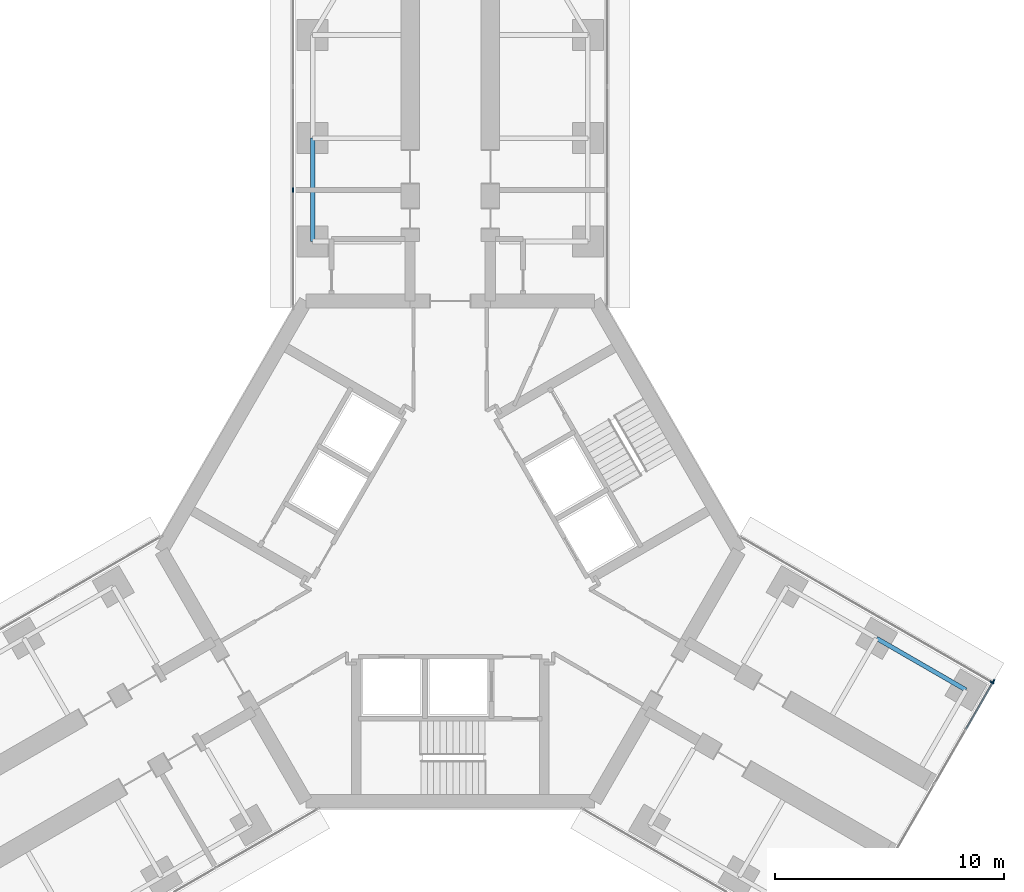
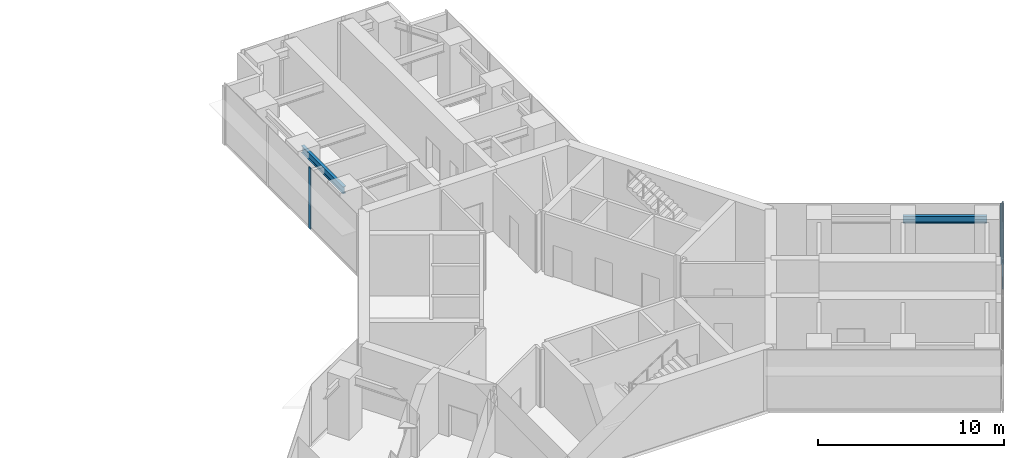
# One storey, part 11 of 21: 4 members, 2 beams, 3 elements without a shape of their own.
"""IFC4 building model written with IfcOpenShell, lengths in metres."""

from ifc_helpers import new_model, si_unit, direction, frame, origin, origin_2d, place, context, subcontext, project, spatial, rectangle, i_section, extrude, material, material_profile, profile_set, type_object, element, aggregate, save


model = new_model("IFC4")

# Units and contexts
model_context = context("Model", 3, precision=1e-05, world=origin(), true_north=direction((0.0, 1.0)))
body_context = subcontext(model_context, "Body", "Model", "MODEL_VIEW")
ifc_project = project(units=[si_unit("LENGTHUNIT", "METRE"), si_unit("AREAUNIT", "SQUARE_METRE"), si_unit("VOLUMEUNIT", "CUBIC_METRE"), si_unit("PLANEANGLEUNIT", "RADIAN"), si_unit("MASSUNIT", "GRAM", prefix="KILO")], contexts=[model_context])

# Site, building, storey
site_placement = place(None, origin())
site = spatial("IfcSite", under=ifc_project, at=site_placement, CompositionType="ELEMENT")
building_placement = place(site_placement, origin())
building = spatial("IfcBuilding", under=site, at=building_placement, Name="Upepo Twin Towers", CompositionType="ELEMENT")
storey_placement = place(building_placement, frame((0.0, 0.0, 109.5)))
storey = spatial("IfcBuildingStorey", under=building, at=storey_placement, Name="L26", CompositionType="ELEMENT", Elevation=109.5)

# Beams
ifc_material_1 = material(Name="Steel S355", Category="steel")
ifc_material_profile_1 = material_profile(ifc_material_1, i_section(OverallWidth=0.1904296875, OverallDepth=0.45703125, WebThickness=0.009033203125, FlangeThickness=0.014404296875, FilletRadius=0.01025390625, at=origin_2d()), Name="UB 457x191x74")
ifc_profile_set_1 = profile_set([ifc_material_profile_1], Name="Steel S355")
beam_type = type_object("IfcBeamType", Name="Beam UB 457x191x74", PredefinedType="BEAM", material=ifc_profile_set_1)
for number, where, z_axis, x_axis, name in (
    (1, (52.5, -4.5, 3.571533203125), (0.0, 1.0, 0.0), (-1.0, 0.0, 0.0), "T2 edge beam AL 13.5-18.0"),
    (2, (77.08837890625, -21.803955078125, 3.571533203125), (0.866031096941, -0.499990139034, 0.0), (0.499990139034, 0.866031096941, 0.0), "T2 edge beam CL 18.0-22.5"),
):
    element("IfcBeam", number, at=place(storey_placement, frame(where, z_axis=z_axis, x_axis=x_axis)), inside=storey, type_object=beam_type, Name=name, PredefinedType="BEAM", context=body_context, shape_type="SweptSolid", body=[
        extrude(i_section(OverallWidth=0.1904296875, OverallDepth=0.45703125, WebThickness=0.009033203125, FlangeThickness=0.014404296875, FilletRadius=0.01025390625, at=origin_2d()), origin(), (0.0, 0.0, 1.0), 4.5),
    ])

# Curtain wall, member
ifc_material_2 = material(Name="Aluminium and fritted glass", Category="aluminium")
curtain_wall_type = type_object("IfcCurtainWallType", Name="Tower curtain wall TW2, fritted glass", PredefinedType="NOTDEFINED", material=ifc_material_2)
curtain_wall_1_placement = place(storey_placement, origin())
curtain_wall_1 = element("IfcCurtainWall", 3, at=curtain_wall_1_placement, inside=storey, type_object=curtain_wall_type, Name="T2 L26 wing A flank L curtain wall", PredefinedType="NOTDEFINED")
ifc_material_3 = material(Name="Aluminium mullion", Category="aluminium")
ifc_material_profile_2 = material_profile(ifc_material_3, rectangle(XDim=0.06494140625, YDim=0.199951171875, at=origin_2d()), Name="MULLION 65x200")
ifc_profile_set_2 = profile_set([ifc_material_profile_2], Name="Aluminium mullion")
member_type_1 = type_object("IfcMemberType", Name="Mullion 65x200 TW2", PredefinedType="MULLION", material=ifc_profile_set_2)
member_1_placement = place(storey_placement, frame((51.64990234375, -2.25, 0.0), z_axis=(0.0, 0.0, 1.0), x_axis=(-1.0, 0.0, 0.0)))
member_1 = element("IfcMember", 4, at=member_1_placement, type_object=member_type_1, Name="T2 L26 wing A flank L curtain wall mullion 2", PredefinedType="MULLION", context=body_context, shape_type="SweptSolid", body=[
    extrude(rectangle(XDim=0.06494140625, YDim=0.199951171875, at=origin_2d()), origin(), (0.0, 0.0, 1.0), 4.0),
])
aggregate(curtain_wall_1, [member_1])

curtain_wall_2_placement = place(storey_placement, origin())
curtain_wall_2 = element("IfcCurtainWall", 5, at=curtain_wall_2_placement, inside=storey, type_object=curtain_wall_type, Name="T2 L26 wing C flank L curtain wall", PredefinedType="NOTDEFINED")
member_2_placement = place(storey_placement, frame((82.11865234375, -23.7265625, 0.0), z_axis=(0.0, 0.0, 1.0), x_axis=(0.50000000792, 0.866025399212, 0.0)))
member_2 = element("IfcMember", 6, at=member_2_placement, type_object=member_type_1, Name="T2 L26 wing C flank L curtain wall mullion 2", PredefinedType="MULLION", context=body_context, shape_type="SweptSolid", body=[
    extrude(rectangle(XDim=0.06494140625, YDim=0.199951171875, at=origin_2d()), origin(), (0.0, 0.0, 1.0), 4.0),
])
aggregate(curtain_wall_2, [member_2])

# Curtain wall, members
curtain_wall_3_placement = place(storey_placement, origin())
curtain_wall_3 = element("IfcCurtainWall", 7, at=curtain_wall_3_placement, inside=storey, type_object=curtain_wall_type, Name="T2 L26 wing C nose curtain wall", PredefinedType="NOTDEFINED")
member_3_placement = place(storey_placement, frame((82.180419921875, -23.684326171875, 0.0), z_axis=(0.0, 0.0, 1.0), x_axis=(-0.866025419745, 0.499999972355, 0.0)))
member_3 = element("IfcMember", 8, at=member_3_placement, type_object=member_type_1, Name="T2 L26 wing C nose curtain wall mullion 6", PredefinedType="MULLION", context=body_context, shape_type="SweptSolid", body=[
    extrude(rectangle(XDim=0.06494140625, YDim=0.199951171875, at=origin_2d()), origin(), (0.0, 0.0, 1.0), 4.0),
])
ifc_material_4 = material(Name="Aluminium transom", Category="aluminium")
ifc_material_profile_3 = material_profile(ifc_material_4, rectangle(XDim=0.06494140625, YDim=0.14990234375, at=origin_2d()), Name="TRANSOM 65x150")
ifc_profile_set_3 = profile_set([ifc_material_profile_3], Name="Aluminium transom")
member_type_2 = type_object("IfcMemberType", Name="Transom 65x150 TW2", PredefinedType="USERDEFINED", material=ifc_profile_set_3)
member_4_placement = place(storey_placement, frame((80.988037109375, -25.749755859375, 0.074951171875), z_axis=(0.50000093428, 0.866024864377, 0.0), x_axis=(-0.866024864377, 0.50000093428, 0.0)))
member_4 = element("IfcMember", 9, at=member_4_placement, type_object=member_type_2, Name="T2 L26 wing C nose curtain wall transom 5", ObjectType="TRANSOM", PredefinedType="USERDEFINED", context=body_context, shape_type="SweptSolid", body=[
    extrude(rectangle(XDim=0.06494140625, YDim=0.14990234375, at=origin_2d()), origin(), (0.0, 0.0, 1.0), 2.3525390625),
])
aggregate(curtain_wall_3, [member_3, member_4])

save(model, "model.ifc")
